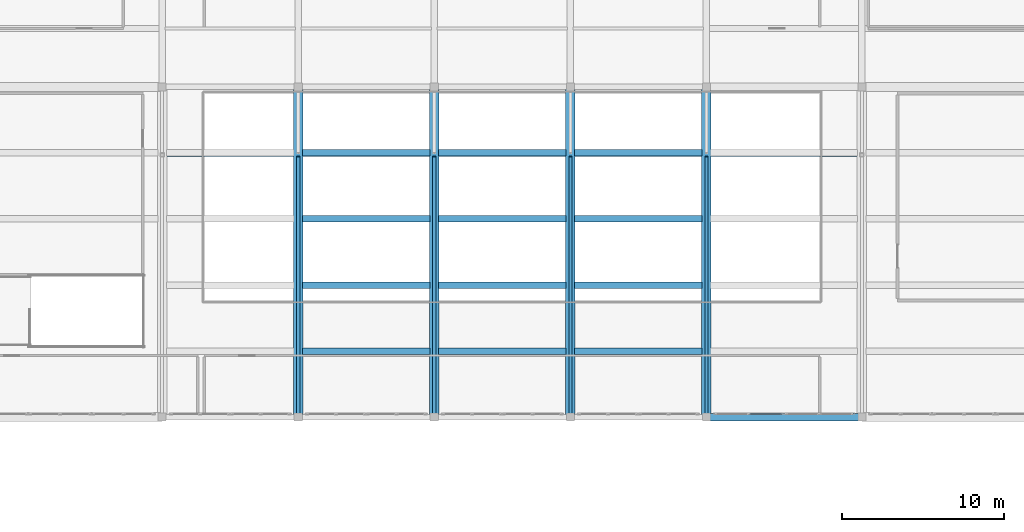
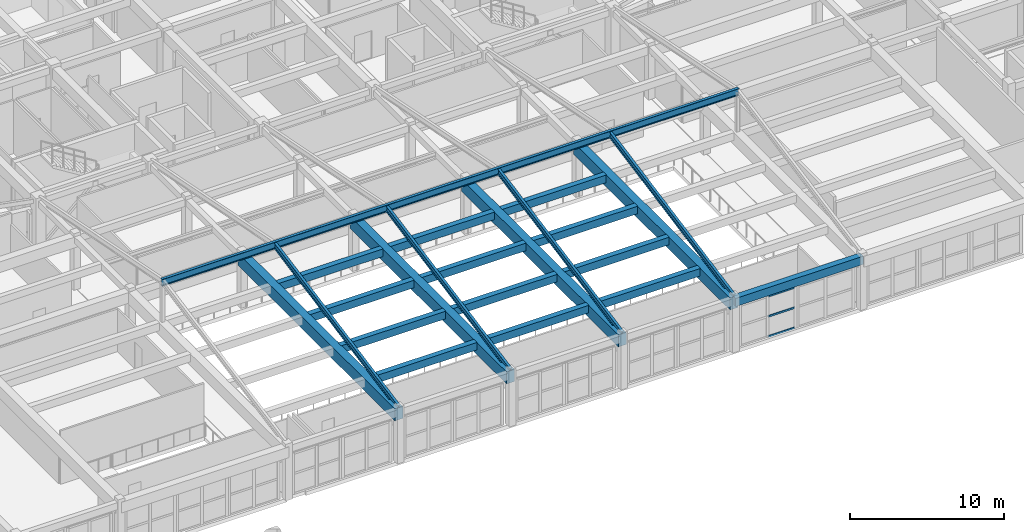
# One storey, part 29 of 91: 22 beams, 3 members, 1 element without a shape of its own.
"""IFC4 building model written with IfcOpenShell, lengths in metres."""

from ifc_helpers import new_model, si_unit, direction, frame, origin, origin_2d, place, context, subcontext, project, spatial, rectangle, hollow_rectangle, i_section, extrude, material, layer, layer_set, material_profile, profile_set, type_object, element, aggregate, save


model = new_model("IFC4")

# Units and contexts
model_context = context("Model", 3, precision=1e-05, world=origin(), true_north=direction((0.0, 1.0)))
body_context = subcontext(model_context, "Body", "Model", "MODEL_VIEW")
ifc_project = project(units=[si_unit("LENGTHUNIT", "METRE"), si_unit("AREAUNIT", "SQUARE_METRE"), si_unit("VOLUMEUNIT", "CUBIC_METRE"), si_unit("PLANEANGLEUNIT", "RADIAN"), si_unit("MASSUNIT", "GRAM", prefix="KILO")], contexts=[model_context])

# Site, building, storey
site_placement = place(None, origin())
site = spatial("IfcSite", under=ifc_project, at=site_placement, CompositionType="ELEMENT")
building_placement = place(site_placement, origin())
building = spatial("IfcBuilding", under=site, at=building_placement, Name="Tarnavel Promenade Courthouse", CompositionType="ELEMENT")
storey_placement = place(building_placement, frame((0.0, 0.0, 9.89990234375)))
storey = spatial("IfcBuildingStorey", under=building, at=storey_placement, Name="L03", CompositionType="ELEMENT", Elevation=9.89990234375)

# Beams
ifc_material_1 = material(Name="Concrete C40/50", Category="concrete")
ifc_material_profile_1 = material_profile(ifc_material_1, rectangle(XDim=0.39990234375, YDim=0.60009765625, at=origin_2d()), Name="PT 400x600")
ifc_profile_set_1 = profile_set([ifc_material_profile_1], Name="Concrete C40/50")
beam_type_1 = type_object("IfcBeamType", Name="Concrete C40/50 BM-PT-400x600 (PT 400x600)", PredefinedType="JOIST", material=ifc_profile_set_1)
for number, where, z_axis, x_axis, name in (
    (1, (67.469970703125, 50.8798828125, 3.945068359375), (1.0, 0.0, 0.0), (0.0, 1.0, 0.0), "L03 Secondary Floor Rib 1918"),
    (2, (67.469970703125, 54.9599609375, 3.945068359375), (1.0, 0.0, 0.0), (0.0, 1.0, 0.0), "L03 Secondary Floor Rib 1919"),
    (3, (67.469970703125, 59.0400390625, 3.945068359375), (1.0, 0.0, 0.0), (0.0, 1.0, 0.0), "L03 Secondary Floor Rib 1920"),
    (4, (67.469970703125, 63.1201171875, 3.945068359375), (1.0, 0.0, 0.0), (0.0, 1.0, 0.0), "L03 Secondary Floor Rib 1921"),
):
    element("IfcBeam", number, at=place(storey_placement, frame(where, z_axis=z_axis, x_axis=x_axis)), inside=storey, type_object=beam_type_1, Name=name, PredefinedType="JOIST", context=body_context, shape_type="SweptSolid", body=[
        extrude(rectangle(XDim=0.39990234375, YDim=0.60009765625, at=origin_2d()), origin(), (0.0, 0.0, 1.0), 7.860107421875),
    ])
for number, where, z_axis, x_axis, name in (
    (5, (75.8701171875, 50.8798828125, 3.945068359375), (1.0, 0.0, 0.0), (0.0, 1.0, 0.0), "L03 Secondary Floor Rib 1922"),
    (6, (75.8701171875, 54.9599609375, 3.945068359375), (1.0, 0.0, 0.0), (0.0, 1.0, 0.0), "L03 Secondary Floor Rib 1923"),
    (7, (75.8701171875, 59.0400390625, 3.945068359375), (1.0, 0.0, 0.0), (0.0, 1.0, 0.0), "L03 Secondary Floor Rib 1924"),
    (8, (75.8701171875, 63.1201171875, 3.945068359375), (1.0, 0.0, 0.0), (0.0, 1.0, 0.0), "L03 Secondary Floor Rib 1925"),
    (9, (84.27001953125, 50.8798828125, 3.945068359375), (1.0, 0.0, 0.0), (0.0, 1.0, 0.0), "L03 Secondary Floor Rib 1926"),
    (10, (84.27001953125, 54.9599609375, 3.945068359375), (1.0, 0.0, 0.0), (0.0, 1.0, 0.0), "L03 Secondary Floor Rib 1927"),
    (11, (84.27001953125, 59.0400390625, 3.945068359375), (1.0, 0.0, 0.0), (0.0, 1.0, 0.0), "L03 Secondary Floor Rib 1928"),
    (12, (84.27001953125, 63.1201171875, 3.945068359375), (1.0, 0.0, 0.0), (0.0, 1.0, 0.0), "L03 Secondary Floor Rib 1929"),
):
    element("IfcBeam", number, at=place(storey_placement, frame(where, z_axis=z_axis, x_axis=x_axis)), inside=storey, type_object=beam_type_1, Name=name, PredefinedType="JOIST", context=body_context, shape_type="SweptSolid", body=[
        extrude(rectangle(XDim=0.39990234375, YDim=0.60009765625, at=origin_2d()), origin(), (0.0, 0.0, 1.0), 7.85986328125),
    ])
ifc_material_profile_2 = material_profile(ifc_material_1, rectangle(XDim=0.60009765625, YDim=0.949951171875, at=origin_2d()), Name="PT 600x950")
ifc_profile_set_2 = profile_set([ifc_material_profile_2], Name="Concrete C40/50")
beam_type_2 = type_object("IfcBeamType", Name="Concrete C40/50 BM-PT-600x950 (PT 600x950)", PredefinedType="T_BEAM", material=ifc_profile_set_2)
for number, where, z_axis, x_axis, name in (
    (13, (67.199951171875, 46.800048828125, 3.77001953125), (0.0, 1.0, 0.0), (-1.0, 0.0, 0.0), "L03 Transverse Girder 1744"),
    (14, (75.60009765625, 46.800048828125, 3.77001953125), (0.0, 1.0, 0.0), (-1.0, 0.0, 0.0), "L03 Transverse Girder 1750"),
    (15, (84.0, 46.800048828125, 3.77001953125), (0.0, 1.0, 0.0), (-1.0, 0.0, 0.0), "L03 Transverse Girder 1756"),
    (16, (92.39990234375, 46.800048828125, 3.77001953125), (0.0, 1.0, 0.0), (-1.0, 0.0, 0.0), "L03 Transverse Girder 1763"),
):
    element("IfcBeam", number, at=place(storey_placement, frame(where, z_axis=z_axis, x_axis=x_axis)), inside=storey, type_object=beam_type_2, Name=name, PredefinedType="T_BEAM", context=body_context, shape_type="SweptSolid", body=[
        extrude(rectangle(XDim=0.60009765625, YDim=0.949951171875, at=origin_2d()), origin(), (0.0, 0.0, 1.0), 20.39990234375),
    ])
ifc_material_profile_3 = material_profile(ifc_material_1, rectangle(XDim=0.449951171875, YDim=0.64990234375, at=origin_2d()), Name="RC 450x650")
ifc_profile_set_3 = profile_set([ifc_material_profile_3], Name="Concrete C40/50")
beam_type_3 = type_object("IfcBeamType", Name="Concrete C40/50 BM-RC-450x650 (RC 450x650)", PredefinedType="T_BEAM", material=ifc_profile_set_3)
beam_1_placement = place(storey_placement, frame((92.39990234375, 46.800048828125, 3.920166015625), z_axis=(1.0, 0.0, 0.0), x_axis=(0.0, 1.0, 0.0)))
element("IfcBeam", 17, at=beam_1_placement, inside=storey, type_object=beam_type_3, Name="L03 Primary Longitudinal Beam 1575", PredefinedType="T_BEAM", context=body_context, shape_type="SweptSolid", body=[
    extrude(rectangle(XDim=0.449951171875, YDim=0.64990234375, at=origin_2d()), origin(), (0.0, 0.0, 1.0), 9.60009765625),
])
ifc_material_2 = material(Name="Steel S355J2", Category="steel")
ifc_material_profile_4 = material_profile(ifc_material_2, i_section(OverallWidth=0.18994140625, OverallDepth=0.449951171875, WebThickness=0.009521484375, FlangeThickness=0.0146484375, FilletRadius=0.02099609375, at=origin_2d()), Name="IPE 450")
ifc_profile_set_4 = profile_set([ifc_material_profile_4], Name="Steel S355J2")
beam_type_4 = type_object("IfcBeamType", Name="Steel S355J2 BM-ST-IPE450 (IPE 450)", PredefinedType="BEAM", material=ifc_profile_set_4)
for number, where, z_axis, x_axis, name in (
    (18, (67.199951171875, 46.800048828125, 4.239990234375), (0.0, 0.981264451334, 0.192665711916), (-1.0, 0.0, 0.0), "Winter-Garden Roof Rafter South 67"),
    (19, (75.60009765625, 46.800048828125, 4.239990234375), (0.0, 0.981264451334, 0.192665711916), (-1.0, 0.0, 0.0), "Winter-Garden Roof Rafter South 75"),
    (20, (84.0, 46.800048828125, 4.239990234375), (0.0, 0.981264451334, 0.192665711916), (-1.0, 0.0, 0.0), "Winter-Garden Roof Rafter South 84"),
    (21, (92.39990234375, 46.800048828125, 4.239990234375), (0.0, 0.981264451334, 0.192665711916), (-1.0, 0.0, 0.0), "Winter-Garden Roof Rafter South 92"),
):
    element("IfcBeam", number, at=place(storey_placement, frame(where, z_axis=z_axis, x_axis=x_axis)), inside=storey, type_object=beam_type_4, Name=name, PredefinedType="BEAM", context=body_context, shape_type="SweptSolid", body=[
        extrude(i_section(OverallWidth=0.18994140625, OverallDepth=0.449951171875, WebThickness=0.009521484375, FlangeThickness=0.0146484375, FilletRadius=0.02099609375, at=origin_2d()), origin(), (0.0, 0.0, 1.0), 16.40234375),
    ])
ifc_material_profile_5 = material_profile(ifc_material_2, i_section(OverallWidth=0.2099609375, OverallDepth=0.550048828125, WebThickness=0.010986328125, FlangeThickness=0.01708984375, FilletRadius=0.02392578125, at=origin_2d()), Name="IPE 550")
ifc_profile_set_5 = profile_set([ifc_material_profile_5], Name="Steel S355J2")
beam_type_5 = type_object("IfcBeamType", Name="Steel S355J2 BM-ST-IPE550 (IPE 550)", PredefinedType="T_BEAM", material=ifc_profile_set_5)
beam_2_placement = place(storey_placement, frame((58.699951171875, 63.0, 7.3701171875), z_axis=(1.0, 0.0, 0.0), x_axis=(0.0, 1.0, 0.0)))
element("IfcBeam", 22, at=beam_2_placement, inside=storey, type_object=beam_type_5, Name="Winter-Garden Roof Ridge Girder", PredefinedType="T_BEAM", context=body_context, shape_type="SweptSolid", body=[
    extrude(i_section(OverallWidth=0.2099609375, OverallDepth=0.550048828125, WebThickness=0.010986328125, FlangeThickness=0.01708984375, FilletRadius=0.02392578125, at=origin_2d()), origin(), (0.0, 0.0, 1.0), 43.400146484375),
])

# Curtain wall, members
ifc_material_3 = material(Name="Thermally Broken Anodised Aluminium Curtain Wall System", Category="aluminium")
ifc_layer = layer(ifc_material_3, 0.239990234375)
ifc_layer_set = layer_set([ifc_layer], Name="Thermally Broken Anodised Aluminium Curtain Wall System")
curtain_wall_type = type_object("IfcCurtainWallType", Name="Thermally Broken Aluminium Triple-Glazed Curtain Wall CW-WG-S", PredefinedType="NOTDEFINED", material=ifc_layer_set)
curtain_wall_placement = place(storey_placement, origin())
curtain_wall = element("IfcCurtainWall", 23, at=curtain_wall_placement, inside=storey, type_object=curtain_wall_type, Name="L03 Winter-Garden South Solar Curtain Wall 095", PredefinedType="NOTDEFINED")
ifc_material_4 = material(Name="Thermally Broken Anodised Aluminium Frame", Category="aluminium")
ifc_material_profile_6 = material_profile(ifc_material_4, hollow_rectangle(XDim=0.080078125, YDim=0.159912109375, WallThickness=0.0048828125, InnerFilletRadius=0.0048828125, OuterFilletRadius=0.010009765625, at=origin_2d()), Name="CWT 160x80x5")
ifc_profile_set_6 = profile_set([ifc_material_profile_6], Name="Thermally Broken Anodised Aluminium Frame")
member_type = type_object("IfcMemberType", Name="Thermally Broken Anodised Aluminium CWT-145 (CWT 160x80x5)", PredefinedType="USERDEFINED", material=ifc_profile_set_6)
member_1_placement = place(storey_placement, frame((95.070068359375, 47.0, 0.0400390625), z_axis=(1.0, 0.0, 0.0), x_axis=(0.0, 1.0, 0.0)))
member_1 = element("IfcMember", 24, at=member_1_placement, type_object=member_type, Name="CW-02 transom 2.1", ObjectType="TRANSOM", PredefinedType="USERDEFINED", context=body_context, shape_type="SweptSolid", body=[
    extrude(hollow_rectangle(XDim=0.080078125, YDim=0.159912109375, WallThickness=0.0048828125, InnerFilletRadius=0.0048828125, OuterFilletRadius=0.010009765625, at=origin_2d()), origin(), (0.0, 0.0, 1.0), 2.0),
])
member_2_placement = place(storey_placement, frame((95.070068359375, 47.0, 1.64013671875), z_axis=(1.0, 0.0, 0.0), x_axis=(0.0, 1.0, 0.0)))
member_2 = element("IfcMember", 25, at=member_2_placement, type_object=member_type, Name="CW-02 transom 2.2", ObjectType="TRANSOM", PredefinedType="USERDEFINED", context=body_context, shape_type="SweptSolid", body=[
    extrude(hollow_rectangle(XDim=0.080078125, YDim=0.159912109375, WallThickness=0.0048828125, InnerFilletRadius=0.0048828125, OuterFilletRadius=0.010009765625, at=origin_2d()), origin(), (0.0, 0.0, 1.0), 2.0),
])
member_3_placement = place(storey_placement, frame((95.070068359375, 47.0, 3.239990234375), z_axis=(1.0, 0.0, 0.0), x_axis=(0.0, 1.0, 0.0)))
member_3 = element("IfcMember", 26, at=member_3_placement, type_object=member_type, Name="CW-02 transom 2.3", ObjectType="TRANSOM", PredefinedType="USERDEFINED", context=body_context, shape_type="SweptSolid", body=[
    extrude(hollow_rectangle(XDim=0.080078125, YDim=0.159912109375, WallThickness=0.0048828125, InnerFilletRadius=0.0048828125, OuterFilletRadius=0.010009765625, at=origin_2d()), origin(), (0.0, 0.0, 1.0), 2.0),
])
aggregate(curtain_wall, [member_1, member_2, member_3])

save(model, "model.ifc")
